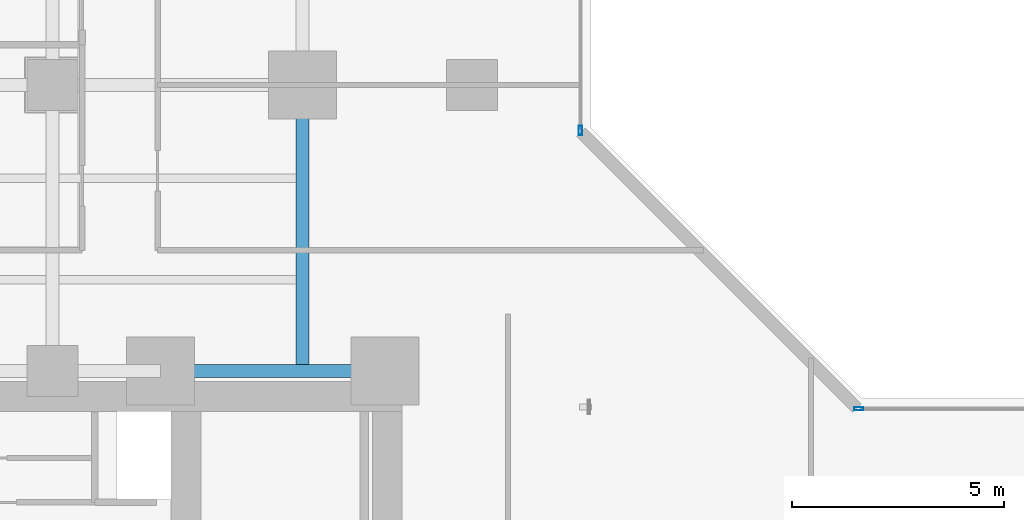
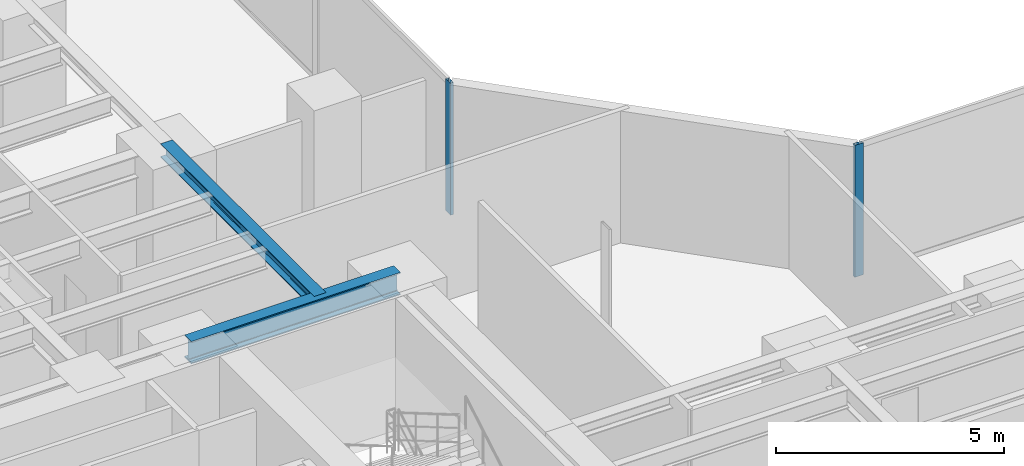
# One storey, part 8 of 30: 2 beams, 2 members, 2 elements without a shape of their own.
"""IFC4 building model written with IfcOpenShell, lengths in metres."""

from ifc_helpers import new_model, si_unit, direction, frame, origin, origin_with_axes, origin_2d, place, context, subcontext, project, spatial, hollow_rectangle, i_section, extrude, source, transform, mapped, material, layer, layer_set, material_profile, profile_set, type_object, element, aggregate, save


model = new_model("IFC4")

# Units and contexts
model_context = context("Model", 3, precision=1e-05, world=origin(), true_north=direction((0.0, 1.0)))
body_context = subcontext(model_context, "Body", "Model", "MODEL_VIEW")
ifc_project = project(units=[si_unit("LENGTHUNIT", "METRE"), si_unit("AREAUNIT", "SQUARE_METRE"), si_unit("VOLUMEUNIT", "CUBIC_METRE"), si_unit("PLANEANGLEUNIT", "RADIAN"), si_unit("MASSUNIT", "GRAM", prefix="KILO")], contexts=[model_context])

# Site, building, storey
site_placement = place(None, origin())
site = spatial("IfcSite", under=ifc_project, at=site_placement, CompositionType="ELEMENT")
building_placement = place(site_placement, origin())
building = spatial("IfcBuilding", under=site, at=building_placement, Name="Kolvaren Waterfront Exchange", CompositionType="ELEMENT")
storey_placement = place(building_placement, frame((0.0, 0.0, 52.39990234375)))
storey = spatial("IfcBuildingStorey", under=building, at=storey_placement, Name="L13", CompositionType="ELEMENT", Elevation=52.39990234375)

# Beams
ifc_material_1 = material(Name="Steel S355", Category="steel")
ifc_material_profile_1 = material_profile(ifc_material_1, i_section(OverallWidth=0.300048828125, OverallDepth=0.360107421875, WebThickness=0.012451171875, FlangeThickness=0.0224609375, FilletRadius=0.027099609375, at=origin_2d()), Name="HEB360")
ifc_profile_set_1 = profile_set([ifc_material_profile_1], Name="Steel S355")
beam_type_1 = type_object("IfcBeamType", Name="STR-BM-HEB360", PredefinedType="SPANDREL", material=ifc_profile_set_1)
beam_1_placement = place(storey_placement, frame((18.800048828125, 24.449951171875, 3.360107421875), z_axis=(0.0, 1.0, 0.0), x_axis=(-1.0, 0.0, 0.0)))
element("IfcBeam", 1, at=beam_1_placement, inside=storey, type_object=beam_type_1, Name="L13 north-arm edge beam 1", PredefinedType="SPANDREL", context=body_context, shape_type="SweptSolid", body=[
    extrude(i_section(OverallWidth=0.300048828125, OverallDepth=0.360107421875, WebThickness=0.012451171875, FlangeThickness=0.0224609375, FilletRadius=0.027099609375, at=origin_2d()), origin(), (0.0, 0.0, 1.0), 6.75),
])
ifc_material_profile_2 = material_profile(ifc_material_1, i_section(OverallWidth=0.300048828125, OverallDepth=0.60009765625, WebThickness=0.015380859375, FlangeThickness=0.030029296875, FilletRadius=0.027099609375, at=origin_2d()), Name="HEB600")
ifc_profile_set_2 = profile_set([ifc_material_profile_2], Name="Steel S355")
beam_type_2 = type_object("IfcBeamType", Name="STR-BM-HEB600", PredefinedType="BEAM", material=ifc_profile_set_2)
beam_2_placement = place(storey_placement, frame((15.449951171875, 24.449951171875, 3.239990234375), z_axis=(1.0, 0.0, 0.0), x_axis=(0.0, 1.0, 0.0)))
element("IfcBeam", 2, at=beam_2_placement, inside=storey, type_object=beam_type_2, Name="L13 north-arm girder 1C", PredefinedType="BEAM", context=body_context, shape_type="SweptSolid", body=[
    extrude(i_section(OverallWidth=0.300048828125, OverallDepth=0.60009765625, WebThickness=0.015380859375, FlangeThickness=0.030029296875, FilletRadius=0.027099609375, at=origin_2d()), origin(), (0.0, 0.0, 1.0), 5.300048828125),
])

# Curtain wall, member
ifc_material_2 = material(Name="Anodised bronze aluminium 6063-T6", Category="aluminium")
ifc_layer = layer(ifc_material_2, 0.219970703125, Name="Anodised bronze aluminium 6063-T6")
ifc_layer_set = layer_set([ifc_layer], Name="Anodised bronze aluminium 6063-T6")
curtain_wall_type = type_object("IfcCurtainWallType", Name="ARC-CW-SYS1", PredefinedType="USERDEFINED", material=ifc_layer_set)
curtain_wall_1_placement = place(storey_placement, origin())
curtain_wall_1 = element("IfcCurtainWall", 3, at=curtain_wall_1_placement, inside=storey, type_object=curtain_wall_type, Name="L13 stick curtain wall CW1 (CW-L13-NE)", ObjectType="STICK CURTAIN WALL", PredefinedType="USERDEFINED")
ifc_material_3 = material(Name="Anodised aluminium 6063-T6", Category="aluminium")
ifc_material_profile_3 = material_profile(ifc_material_3, hollow_rectangle(XDim=0.080078125, YDim=0.219970703125, WallThickness=0.0048828125, at=origin_2d()), Name="ALU-MUL-220x80x5")
ifc_profile_set_3 = profile_set([ifc_material_profile_3], Name="Anodised aluminium 6063-T6")
member_type = type_object("IfcMemberType", Name="ARC-CWM-220", PredefinedType="MULLION", material=ifc_profile_set_3)
shared_shape = source(origin_with_axes(), body_context, "Body", "SweptSolid", [
    extrude(hollow_rectangle(XDim=0.080078125, YDim=0.219970703125, WallThickness=0.0048828125, at=origin_2d()), origin(), (0.0, 0.0, 1.0), 3.5400390625),
])
member_1_placement = place(storey_placement, frame((25.360107421875, 30.1298828125, 0.0), z_axis=(0.0, 0.0, 1.0), x_axis=(-1.0, 0.0, 0.0)))
member_1 = element("IfcMember", 4, at=member_1_placement, type_object=member_type, Name="CW1 mullion 1", PredefinedType="MULLION", context=body_context, shape_type="MappedRepresentation", body=[
    mapped(shared_shape, transform((0.0, 0.0, 0.0), x_axis=(1.0, 0.0, 0.0), y_axis=(0.0, 1.0, 0.0), z_axis=(0.0, 0.0, 1.0), scale=1.0)),
])
aggregate(curtain_wall_1, [member_1])

curtain_wall_2_placement = place(storey_placement, origin())
curtain_wall_2 = element("IfcCurtainWall", 5, at=curtain_wall_2_placement, inside=storey, type_object=curtain_wall_type, Name="L13 stick curtain wall CW1 (CW-L13-EN)", ObjectType="STICK CURTAIN WALL", PredefinedType="USERDEFINED")
member_2_placement = place(storey_placement, frame((31.929931640625, 23.56005859375, 0.0), z_axis=(0.0, 0.0, 1.0), x_axis=(0.0, 1.0, 0.0)))
member_2 = element("IfcMember", 6, at=member_2_placement, type_object=member_type, Name="CW1 mullion 1", PredefinedType="MULLION", context=body_context, shape_type="MappedRepresentation", body=[
    mapped(shared_shape, transform((0.0, 0.0, 0.0), x_axis=(1.0, 0.0, 0.0), y_axis=(0.0, 1.0, 0.0), z_axis=(0.0, 0.0, 1.0), scale=1.0)),
])
aggregate(curtain_wall_2, [member_2])

save(model, "model.ifc")
